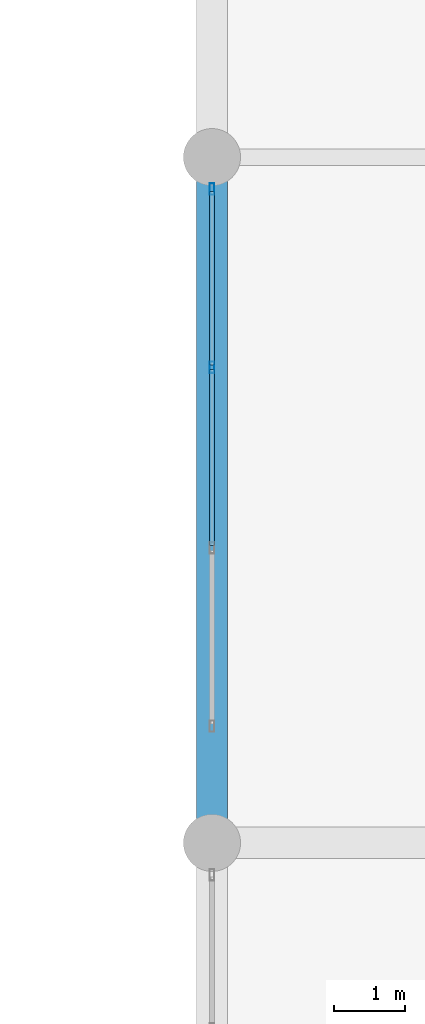
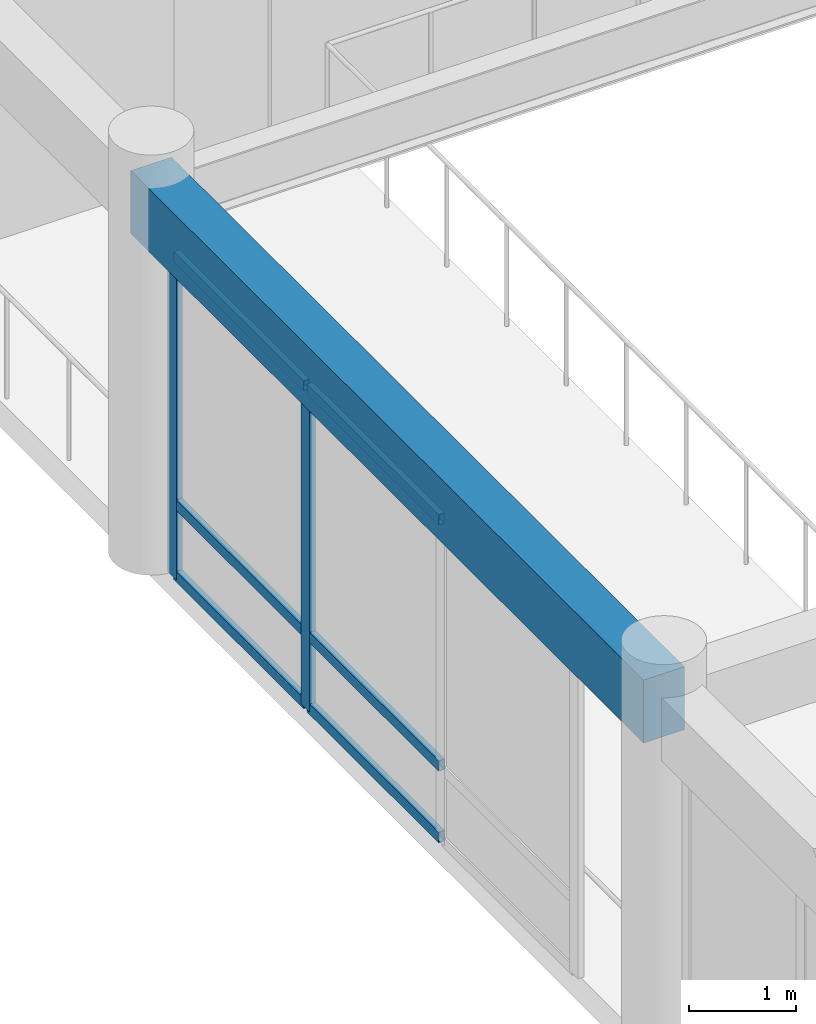
# One storey, part 32 of 133: 8 members, 1 beam, 1 element without a shape of its own.
"""IFC4 building model written with IfcOpenShell, lengths in metres."""

from ifc_helpers import new_model, si_unit, direction, frame, origin, origin_2d, place, context, subcontext, project, spatial, rectangle, hollow_rectangle, extrude, material, layer, layer_set, material_profile, profile_set, type_object, element, aggregate, save


model = new_model("IFC4")

# Units and contexts
model_context = context("Model", 3, precision=1e-05, world=origin(), true_north=direction((0.0, 1.0)))
body_context = subcontext(model_context, "Body", "Model", "MODEL_VIEW")
ifc_project = project(units=[si_unit("LENGTHUNIT", "METRE"), si_unit("AREAUNIT", "SQUARE_METRE"), si_unit("VOLUMEUNIT", "CUBIC_METRE"), si_unit("PLANEANGLEUNIT", "RADIAN"), si_unit("MASSUNIT", "GRAM", prefix="KILO")], contexts=[model_context])

# Site, building, storey
site_placement = place(None, origin())
site = spatial("IfcSite", under=ifc_project, at=site_placement, CompositionType="ELEMENT")
building_placement = place(site_placement, origin())
building = spatial("IfcBuilding", under=site, at=building_placement, Name="Nakhvara Creek Congress Hotel", CompositionType="ELEMENT")
storey_placement = place(building_placement, frame((0.0, 0.0, 11.39990234375)))
storey = spatial("IfcBuildingStorey", under=building, at=storey_placement, Name="L02", CompositionType="ELEMENT", Elevation=11.39990234375)

# Beam
ifc_material_1 = material(Name="Concrete C40/50", Category="concrete")
ifc_material_profile_1 = material_profile(ifc_material_1, rectangle(XDim=0.43994140625, YDim=0.719970703125, at=origin_2d()), Name="RC-BM 440x720", Category="LoadBearing")
ifc_profile_set_1 = profile_set([ifc_material_profile_1], Name="Concrete C40/50")
beam_type = type_object("IfcBeamType", Name="BM-RC-440X720", PredefinedType="BEAM", material=ifc_profile_set_1)
beam_placement = place(storey_placement, frame((124.800048828125, 52.800048828125, 4.06005859375), z_axis=(0.0, 1.0, 0.0), x_axis=(-1.0, 0.0, 0.0)))
element("IfcBeam", 1, at=beam_placement, inside=storey, type_object=beam_type, Name="Beam B12-L02-1530", PredefinedType="BEAM", context=body_context, shape_type="SweptSolid", body=[
    extrude(rectangle(XDim=0.43994140625, YDim=0.719970703125, at=origin_2d()), origin(), (0.0, 0.0, 1.0), 9.599853515625),
])

# Curtain wall, members
ifc_material_2 = material(Name="Bronze-anodised aluminium AW-6063-T6 and double-silver low-E glass", Category="aluminium")
ifc_layer = layer(ifc_material_2, 0.199951171875)
ifc_layer_set = layer_set([ifc_layer], Name="Bronze-anodised aluminium AW-6063-T6 and double-silver low-E glass")
curtain_wall_type = type_object("IfcCurtainWallType", Name="CW-POD-STICK", PredefinedType="NOTDEFINED", material=ifc_layer_set)
curtain_wall_placement = place(storey_placement, origin())
curtain_wall = element("IfcCurtainWall", 2, at=curtain_wall_placement, inside=storey, type_object=curtain_wall_type, Name="Curtain Wall CW046", PredefinedType="NOTDEFINED")
ifc_material_3 = material(Name="Bronze-anodised aluminium AW-6063-T6", Category="aluminium")
ifc_material_profile_2 = material_profile(ifc_material_3, hollow_rectangle(XDim=0.06494140625, YDim=0.159912109375, WallThickness=0.00390625, at=origin_2d()), Name="ALU-MULL 65x160x4", Category="LoadBearing")
ifc_profile_set_2 = profile_set([ifc_material_profile_2], Name="Bronze-anodised aluminium AW-6063-T6")
member_type_1 = type_object("IfcMemberType", Name="CW-MULL-160", PredefinedType="MULLION", material=ifc_profile_set_2)
member_1_placement = place(storey_placement, frame((124.800048828125, 59.456787109375, 0.0), z_axis=(0.0, 0.0, 1.0), x_axis=(-1.0, 0.0, 0.0)))
member_1 = element("IfcMember", 3, at=member_1_placement, type_object=member_type_1, Name="CW046 mullion 3", PredefinedType="MULLION", context=body_context, shape_type="SweptSolid", body=[
    extrude(hollow_rectangle(XDim=0.06494140625, YDim=0.159912109375, WallThickness=0.00390625, at=origin_2d()), origin(), (0.0, 0.0, 1.0), 3.692138671875),
])
member_2_placement = place(storey_placement, frame((124.800048828125, 61.952392578125, 0.0), z_axis=(0.0, 0.0, 1.0), x_axis=(-1.0, 0.0, 0.0)))
member_2 = element("IfcMember", 4, at=member_2_placement, type_object=member_type_1, Name="CW046 mullion 4", PredefinedType="MULLION", context=body_context, shape_type="SweptSolid", body=[
    extrude(hollow_rectangle(XDim=0.06494140625, YDim=0.159912109375, WallThickness=0.00390625, at=origin_2d()), origin(), (0.0, 0.0, 1.0), 3.692138671875),
])
ifc_material_profile_3 = material_profile(ifc_material_3, hollow_rectangle(XDim=0.06494140625, YDim=0.1201171875, WallThickness=0.00390625, at=origin_2d()), Name="ALU-TRAN 65x120x4", Category="LoadBearing")
ifc_profile_set_3 = profile_set([ifc_material_profile_3], Name="Bronze-anodised aluminium AW-6063-T6")
member_type_2 = type_object("IfcMemberType", Name="CW-TRAN-120", PredefinedType="USERDEFINED", material=ifc_profile_set_3)
member_3_placement = place(storey_placement, frame((124.800048828125, 56.9609375, 0.03271484375), z_axis=(0.0, 1.0, 0.0), x_axis=(-1.0, 0.0, 0.0)))
member_3 = element("IfcMember", 5, at=member_3_placement, type_object=member_type_2, Name="CW046 transom 2.1", ObjectType="TRANSOM", PredefinedType="USERDEFINED", context=body_context, shape_type="SweptSolid", body=[
    extrude(hollow_rectangle(XDim=0.06494140625, YDim=0.1201171875, WallThickness=0.00390625, at=origin_2d()), origin(), (0.0, 0.0, 1.0), 2.463134765625),
])
member_4_placement = place(storey_placement, frame((124.800048828125, 56.9609375, 0.85009765625), z_axis=(0.0, 1.0, 0.0), x_axis=(-1.0, 0.0, 0.0)))
member_4 = element("IfcMember", 6, at=member_4_placement, type_object=member_type_2, Name="CW046 transom 2.2", ObjectType="TRANSOM", PredefinedType="USERDEFINED", context=body_context, shape_type="SweptSolid", body=[
    extrude(hollow_rectangle(XDim=0.06494140625, YDim=0.1201171875, WallThickness=0.00390625, at=origin_2d()), origin(), (0.0, 0.0, 1.0), 2.463134765625),
])
member_5_placement = place(storey_placement, frame((124.800048828125, 56.9609375, 3.65966796875), z_axis=(0.0, 1.0, 0.0), x_axis=(-1.0, 0.0, 0.0)))
member_5 = element("IfcMember", 7, at=member_5_placement, type_object=member_type_2, Name="CW046 transom 2.3", ObjectType="TRANSOM", PredefinedType="USERDEFINED", context=body_context, shape_type="SweptSolid", body=[
    extrude(hollow_rectangle(XDim=0.06494140625, YDim=0.1201171875, WallThickness=0.00390625, at=origin_2d()), origin(), (0.0, 0.0, 1.0), 2.463134765625),
])
member_6_placement = place(storey_placement, frame((124.800048828125, 59.4892578125, 0.03271484375), z_axis=(0.0, 1.0, 0.0), x_axis=(-1.0, 0.0, 0.0)))
member_6 = element("IfcMember", 8, at=member_6_placement, type_object=member_type_2, Name="CW046 transom 3.1", ObjectType="TRANSOM", PredefinedType="USERDEFINED", context=body_context, shape_type="SweptSolid", body=[
    extrude(hollow_rectangle(XDim=0.06494140625, YDim=0.1201171875, WallThickness=0.00390625, at=origin_2d()), origin(), (0.0, 0.0, 1.0), 2.4306640625),
])
member_7_placement = place(storey_placement, frame((124.800048828125, 59.4892578125, 0.85009765625), z_axis=(0.0, 1.0, 0.0), x_axis=(-1.0, 0.0, 0.0)))
member_7 = element("IfcMember", 9, at=member_7_placement, type_object=member_type_2, Name="CW046 transom 3.2", ObjectType="TRANSOM", PredefinedType="USERDEFINED", context=body_context, shape_type="SweptSolid", body=[
    extrude(hollow_rectangle(XDim=0.06494140625, YDim=0.1201171875, WallThickness=0.00390625, at=origin_2d()), origin(), (0.0, 0.0, 1.0), 2.4306640625),
])
member_8_placement = place(storey_placement, frame((124.800048828125, 59.4892578125, 3.65966796875), z_axis=(0.0, 1.0, 0.0), x_axis=(-1.0, 0.0, 0.0)))
member_8 = element("IfcMember", 10, at=member_8_placement, type_object=member_type_2, Name="CW046 transom 3.3", ObjectType="TRANSOM", PredefinedType="USERDEFINED", context=body_context, shape_type="SweptSolid", body=[
    extrude(hollow_rectangle(XDim=0.06494140625, YDim=0.1201171875, WallThickness=0.00390625, at=origin_2d()), origin(), (0.0, 0.0, 1.0), 2.4306640625),
])
aggregate(curtain_wall, [member_1, member_2, member_3, member_4, member_5, member_6, member_7, member_8])

save(model, "model.ifc")
